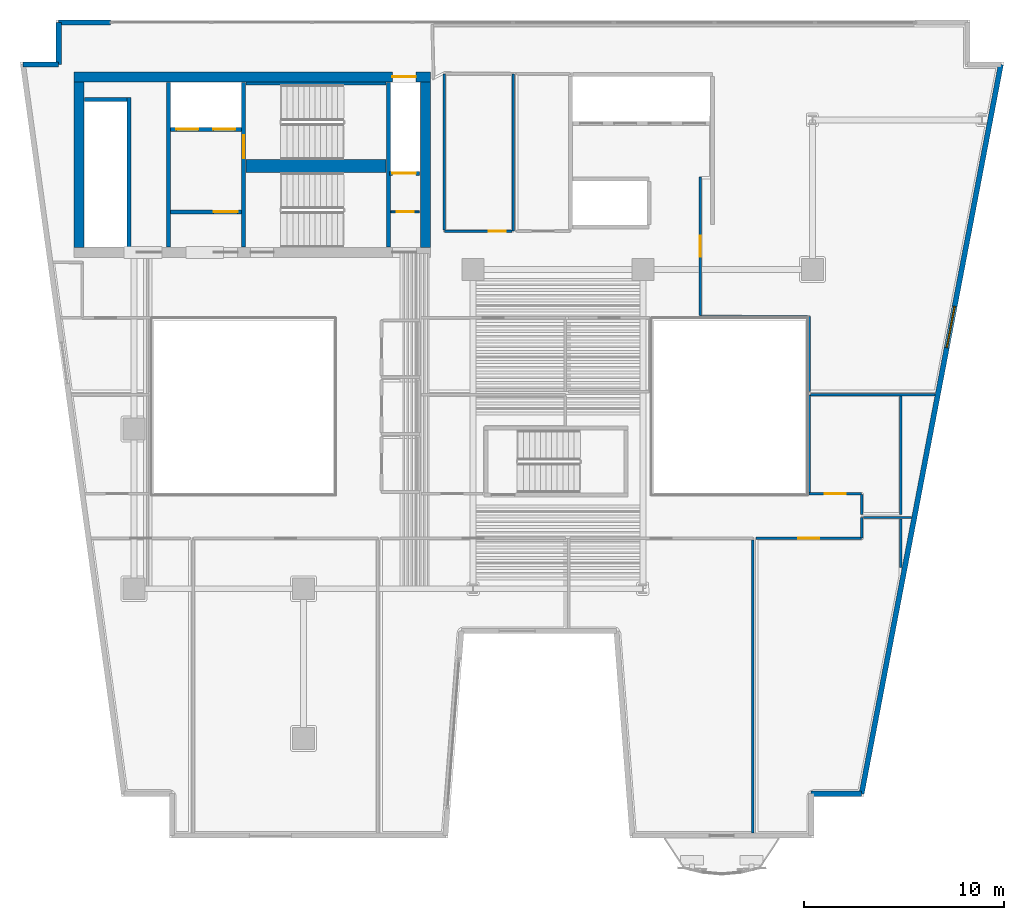
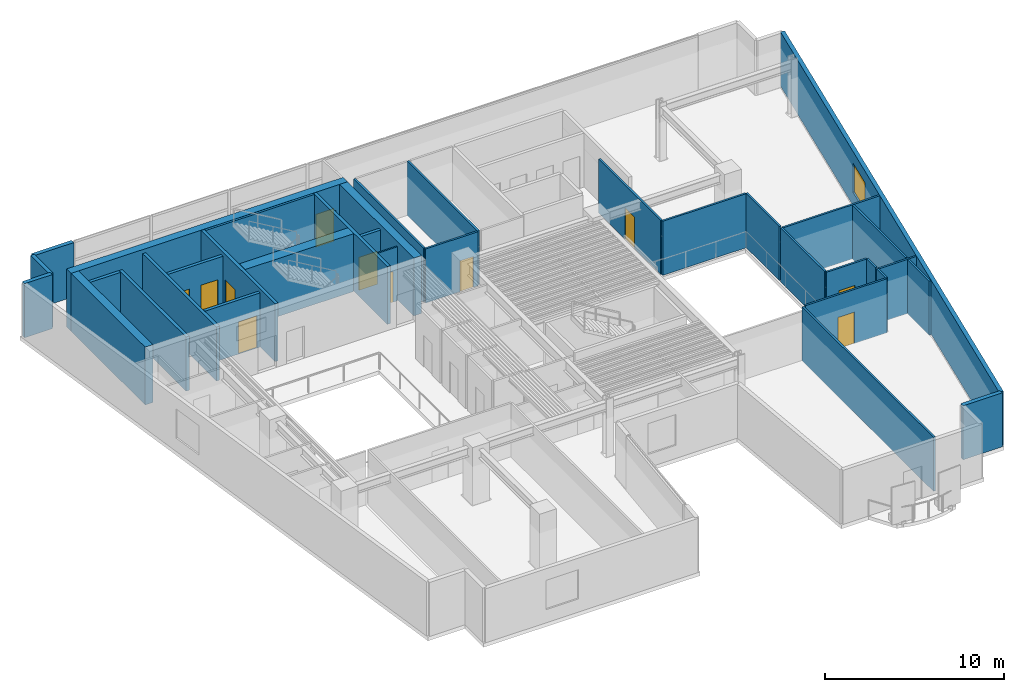
# One storey, part 7 of 13: 35 walls, 11 doors, 1 window, 12 openings.
"""IFC4 building model written with IfcOpenShell, lengths in metres."""

from ifc_helpers import new_model, si_unit, direction, frame, frame_2d, origin, place, context, subcontext, project, spatial, rectangle, extrude, material, layer, layer_set, type_object, element, fill, save


model = new_model("IFC4")

# Units and contexts
model_context = context("Model", 3, precision=1e-05, world=origin(), true_north=direction((0.0, 1.0)))
body_context = subcontext(model_context, "Body", "Model", "MODEL_VIEW")
ifc_project = project(units=[si_unit("LENGTHUNIT", "METRE"), si_unit("AREAUNIT", "SQUARE_METRE"), si_unit("VOLUMEUNIT", "CUBIC_METRE"), si_unit("PLANEANGLEUNIT", "RADIAN"), si_unit("MASSUNIT", "GRAM", prefix="KILO")], contexts=[model_context])

# Site, building, storey
site_placement = place(None, origin())
site = spatial("IfcSite", under=ifc_project, at=site_placement, CompositionType="ELEMENT")
building_placement = place(site_placement, origin())
building = spatial("IfcBuilding", under=site, at=building_placement, Name="Caeloran Harvest Quay", CompositionType="ELEMENT")
storey_placement = place(building_placement, frame((0.0, 0.0, 162.75)))
storey = spatial("IfcBuildingStorey", under=building, at=storey_placement, Name="L38", CompositionType="ELEMENT", Elevation=162.75)

# Walls
ifc_material_1 = material(Name="Precast concrete C50/60", Category="concrete")
ifc_layer_1 = layer(ifc_material_1, 0.260009765625, Name="Precast concrete C50/60")
ifc_layer_set_1 = layer_set([ifc_layer_1], Name="Precast concrete C50/60")
wall_type_1 = type_object("IfcWallType", Name="ENV-WALL-EW-260", PredefinedType="STANDARD", material=ifc_layer_set_1)
wall_1_placement = place(storey_placement, frame((2.939697265625, 41.27001953125, 0.0), z_axis=(0.0, 0.0, 1.0), x_axis=(1.0, 0.0, 0.0)))
element("IfcWall", 1, at=wall_1_placement, inside=storey, type_object=wall_type_1, Name="L38 Exterior Precast Concrete Facade Wall 4", PredefinedType="STANDARD", context=body_context, shape_type="SweptSolid", body=[
    extrude(rectangle(XDim=1.790283203125, YDim=0.260009765625, at=frame_2d((0.89501953125, 0.0))), origin(), (0.0, 0.0, 1.0), 3.68994140625),
])
wall_2_placement = place(storey_placement, frame((4.72998046875, 41.27001953125, 0.0), z_axis=(0.0, 0.0, 1.0), x_axis=(0.0, 1.0, 0.0)))
element("IfcWall", 2, at=wall_2_placement, inside=storey, type_object=wall_type_1, Name="L38 Exterior Precast Concrete Facade Wall 5", PredefinedType="STANDARD", context=body_context, shape_type="SweptSolid", body=[
    extrude(rectangle(XDim=2.10009765625, YDim=0.260009765625, at=frame_2d((1.050048828125, 0.0))), origin(), (0.0, 0.0, 1.0), 3.68994140625),
])
wall_3_placement = place(storey_placement, frame((4.72998046875, 43.3701171875, 0.0), z_axis=(0.0, 0.0, 1.0), x_axis=(1.0, 0.0, 0.0)))
element("IfcWall", 3, at=wall_3_placement, inside=storey, type_object=wall_type_1, Name="L38 Exterior Facade Corner Pier Wall 6A", PredefinedType="STANDARD", context=body_context, shape_type="SweptSolid", body=[
    extrude(rectangle(XDim=2.60009765625, YDim=0.260009765625, at=frame_2d((1.300048828125, 0.0))), origin(), (0.0, 0.0, 1.0), 3.68994140625),
])

# Wall, opening, window
wall_4_placement = place(storey_placement, frame((51.94189453125, 41.27001953125, 0.0), z_axis=(0.0, 0.0, 1.0), x_axis=(-0.187592192405, -0.982247000173, 0.0)))
wall_4 = element("IfcWall", 4, at=wall_4_placement, inside=storey, type_object=wall_type_1, Name="L38 Exterior Precast Concrete Facade Wall 9", PredefinedType="STANDARD", context=body_context, shape_type="SweptSolid", body=[
    extrude(rectangle(XDim=37.200439453125, YDim=0.260009765625, at=frame_2d((18.60009765625, 0.0))), origin(), (0.0, 0.0, 1.0), 3.68994140625),
])
opening_1_placement = place(wall_4_placement, frame((12.342041015625, 0.0, 0.89990234375)))
opening_1 = element("IfcOpeningElement", 5, at=opening_1_placement, cuts=wall_4, Name="Opening W-06", PredefinedType="OPENING", context=body_context, shape_type="SweptSolid", body=[
    extrude(rectangle(XDim=2.10009765625, YDim=2.0, at=frame_2d((1.050048828125, 1.0))), frame((0.0, 0.14013671875, 0.0), z_axis=(0.0, -1.0, 0.0), x_axis=(1.0, 0.0, 0.0)), (0.0, 0.0, 1.0), 0.280029296875),
])
ifc_material_2 = material(Name="Aluminium-Framed Low-E Laminated Glass", Category="aluminium")
window_type = type_object("IfcWindowType", Name="WIN-W-06", PartitioningType="DOUBLE_PANEL_VERTICAL", PredefinedType="WINDOW", material=ifc_material_2)
window_placement = place(opening_1_placement, origin())
window = element("IfcWindow", 6, at=window_placement, inside=storey, type_object=window_type, Name="L38 Facade Punched Window W-06", OverallHeight=2.0, OverallWidth=2.10009765625, PartitioningType="DOUBLE_PANEL_VERTICAL", PredefinedType="WINDOW", context=body_context, shape_type="SweptSolid", body=[
    extrude(rectangle(XDim=2.10009765625, YDim=2.0, at=frame_2d((1.050048828125, 1.0))), frame((0.0, 0.030029296875, 0.0), z_axis=(0.0, -1.0, 0.0), x_axis=(1.0, 0.0, 0.0)), (0.0, 0.0, 1.0), 0.06005859375),
])
fill(opening_1, window)

# Wall
wall_5_placement = place(storey_placement, frame((44.96337890625, 4.72998046875, 0.0), z_axis=(0.0, 0.0, 1.0), x_axis=(-1.0, 0.0, 0.0)))
element("IfcWall", 7, at=wall_5_placement, inside=storey, type_object=wall_type_1, Name="L38 Exterior Precast Concrete Facade Wall 10", PredefinedType="STANDARD", context=body_context, shape_type="SweptSolid", body=[
    extrude(rectangle(XDim=2.5234375, YDim=0.260009765625, at=frame_2d((1.26171875, 0.0))), origin(), (0.0, 0.0, 1.0), 3.68994140625),
])

# Wall, opening, door
ifc_material_3 = material(Name="Fire-Resisting Gypsum Core Riser Partition", Category="gypsum")
ifc_layer_2 = layer(ifc_material_3, 0.10009765625, Name="Fire-Resisting Gypsum Core Riser Partition")
ifc_layer_set_2 = layer_set([ifc_layer_2], Name="Fire-Resisting Gypsum Core Riser Partition")
wall_type_2 = type_object("IfcWallType", Name="INT-WALL-PW-100", PredefinedType="PARTITIONING", material=ifc_layer_set_2)
wall_6_placement = place(storey_placement, frame((21.3798828125, 33.889892578125, 0.0), z_axis=(0.0, 0.0, 1.0), x_axis=(1.0, 0.0, 0.0)))
wall_6 = element("IfcWall", 8, at=wall_6_placement, inside=storey, type_object=wall_type_2, Name="L38 Cleaner Store Partition Wall", PredefinedType="PARTITIONING", context=body_context, shape_type="SweptSolid", body=[
    extrude(rectangle(XDim=1.420166015625, YDim=0.10009765625, at=frame_2d((0.7099609375, 0.0))), origin(), (0.0, 0.0, 1.0), 3.68994140625),
])
opening_2_placement = place(wall_6_placement, frame((0.280029296875, 0.0, 0.0)))
opening_2 = element("IfcOpeningElement", 9, at=opening_2_placement, cuts=wall_6, Name="Opening SV-01", PredefinedType="OPENING", context=body_context, shape_type="SweptSolid", body=[
    extrude(rectangle(XDim=0.85009765625, YDim=2.10009765625, at=frame_2d((0.425048828125, 1.050048828125))), frame((0.0, 0.06005859375, 0.0), z_axis=(0.0, -1.0, 0.0), x_axis=(1.0, 0.0, 0.0)), (0.0, 0.0, 1.0), 0.1201171875),
])
ifc_material_4 = material(Name="Galvanized Painted Steel", Category="steel")
door_type_1 = type_object("IfcDoorType", Name="INTDOOR-SV-01", OperationType="NOTDEFINED", PredefinedType="DOOR", material=ifc_material_4)
door_1_placement = place(opening_2_placement, origin())
door_1 = element("IfcDoor", 10, at=door_1_placement, inside=storey, type_object=door_type_1, Name="L38 Cleaner Supply Store Access Door", OperationType="SINGLE_SWING_RIGHT", OverallHeight=2.10009765625, OverallWidth=0.85009765625, PredefinedType="DOOR", context=body_context, shape_type="SweptSolid", body=[
    extrude(rectangle(XDim=0.85009765625, YDim=2.10009765625, at=frame_2d((0.425048828125, 1.050048828125))), frame((0.0, 0.02490234375, 0.0), z_axis=(0.0, -1.0, 0.0), x_axis=(1.0, 0.0, 0.0)), (0.0, 0.0, 1.0), 0.050048828125),
])
fill(opening_2, door_1)

# Wall
ifc_material_5 = material(Name="Twin-Stud Mineral-Wool Acoustic Gypsum Partition", Category="gypsum")
ifc_layer_3 = layer(ifc_material_5, 0.125, Name="Twin-Stud Mineral-Wool Acoustic Gypsum Partition")
ifc_layer_set_3 = layer_set([ifc_layer_3], Name="Twin-Stud Mineral-Wool Acoustic Gypsum Partition")
wall_type_3 = type_object("IfcWallType", Name="INT-WALL-PW-125", PredefinedType="PARTITIONING", material=ifc_layer_set_3)
wall_7_placement = place(storey_placement, frame((27.5, 40.800048828125, 0.0), z_axis=(0.0, 0.0, 1.0), x_axis=(0.0, -1.0, 0.0)))
element("IfcWall", 11, at=wall_7_placement, inside=storey, type_object=wall_type_3, Name="L38 Bioinformatics Briefing Lounge Partition Wall", PredefinedType="PARTITIONING", context=body_context, shape_type="SweptSolid", body=[
    extrude(rectangle(XDim=7.880126953125, YDim=0.125, at=frame_2d((3.93994140625, 0.0))), origin(), (0.0, 0.0, 1.0), 3.68994140625),
])

# Wall, opening, door
wall_8_placement = place(storey_placement, frame((27.4326171875, 32.919921875, 0.0), z_axis=(0.0, 0.0, 1.0), x_axis=(-1.0, 0.0, 0.0)))
wall_8 = element("IfcWall", 12, at=wall_8_placement, inside=storey, type_object=wall_type_3, Name="L38 Bioinformatics Briefing Lounge Partition Wall", PredefinedType="PARTITIONING", context=body_context, shape_type="SweptSolid", body=[
    extrude(rectangle(XDim=3.382568359375, YDim=0.125, at=frame_2d((1.69140625, 0.0))), origin(), (0.0, 0.0, 1.0), 3.68994140625),
])
opening_3_placement = place(wall_8_placement, frame((0.303466796875, 0.0, 0.0)))
opening_3 = element("IfcOpeningElement", 13, at=opening_3_placement, cuts=wall_8, Name="Opening SV-01", PredefinedType="OPENING", context=body_context, shape_type="SweptSolid", body=[
    extrude(rectangle(XDim=0.85009765625, YDim=2.10009765625, at=frame_2d((0.425048828125, 1.050048828125))), frame((0.0, 0.072509765625, 0.0), z_axis=(0.0, -1.0, 0.0), x_axis=(1.0, 0.0, 0.0)), (0.0, 0.0, 1.0), 0.14501953125),
])
door_2_placement = place(opening_3_placement, origin())
door_2 = element("IfcDoor", 14, at=door_2_placement, inside=storey, type_object=door_type_1, Name="L38 Bioinformatics Briefing Lounge Access Door", OperationType="SINGLE_SWING_RIGHT", OverallHeight=2.10009765625, OverallWidth=0.85009765625, PredefinedType="DOOR", context=body_context, shape_type="SweptSolid", body=[
    extrude(rectangle(XDim=0.85009765625, YDim=2.10009765625, at=frame_2d((0.425048828125, 1.050048828125))), frame((0.0, 0.02490234375, 0.0), z_axis=(0.0, -1.0, 0.0), x_axis=(1.0, 0.0, 0.0)), (0.0, 0.0, 1.0), 0.050048828125),
])
fill(opening_3, door_2)

# Walls
wall_9_placement = place(storey_placement, frame((24.050048828125, 32.987548828125, 0.0), z_axis=(0.0, 0.0, 1.0), x_axis=(0.0, 1.0, 0.0)))
element("IfcWall", 15, at=wall_9_placement, inside=storey, type_object=wall_type_3, Name="L38 Bioinformatics Briefing Lounge Partition Wall", PredefinedType="PARTITIONING", context=body_context, shape_type="SweptSolid", body=[
    extrude(rectangle(XDim=7.8125, YDim=0.125, at=frame_2d((3.90625, 0.0))), origin(), (0.0, 0.0, 1.0), 3.68994140625),
])
wall_10_placement = place(storey_placement, frame((39.52001953125, 17.452392578125, 0.0), z_axis=(0.0, 0.0, 1.0), x_axis=(0.0, -1.0, 0.0)))
element("IfcWall", 16, at=wall_10_placement, inside=storey, type_object=wall_type_3, Name="Carbon Credit Seminar Room Partition Wall", PredefinedType="PARTITIONING", context=body_context, shape_type="SweptSolid", body=[
    extrude(rectangle(XDim=14.6875, YDim=0.125, at=frame_2d((7.34375, 0.0))), origin(), (0.0, 0.0, 1.0), 3.68994140625),
])
wall_11_placement = place(storey_placement, frame((44.97998046875, 17.550048828125, 0.0), z_axis=(0.0, 0.0, 1.0), x_axis=(0.0, 1.0, 0.0)))
element("IfcWall", 17, at=wall_11_placement, inside=storey, type_object=wall_type_3, Name="Commodities Briefing Boardroom Partition Wall", PredefinedType="PARTITIONING", context=body_context, shape_type="SweptSolid", body=[
    extrude(rectangle(XDim=1.02001953125, YDim=0.125, at=frame_2d((0.510009765625, 0.0))), origin(), (0.0, 0.0, 1.0), 3.68994140625),
])
wall_12_placement = place(storey_placement, frame((45.047607421875, 18.570068359375, 0.0), z_axis=(0.0, 0.0, 1.0), x_axis=(1.0, 0.0, 0.0)))
element("IfcWall", 18, at=wall_12_placement, inside=storey, type_object=wall_type_3, Name="Commodities Briefing Boardroom Partition Wall", PredefinedType="PARTITIONING", context=body_context, shape_type="SweptSolid", body=[
    extrude(rectangle(XDim=2.421630859375, YDim=0.125, at=frame_2d((1.2109375, 0.0))), origin(), (0.0, 0.0, 1.0), 3.68994140625),
])
wall_13_placement = place(storey_placement, frame((46.919921875, 18.50244140625, 0.0), z_axis=(0.0, 0.0, 1.0), x_axis=(0.0, -1.0, 0.0)))
element("IfcWall", 19, at=wall_13_placement, inside=storey, type_object=wall_type_3, Name="Commodities Briefing Boardroom Partition Wall", PredefinedType="PARTITIONING", context=body_context, shape_type="SweptSolid", body=[
    extrude(rectangle(XDim=2.4375, YDim=0.125, at=frame_2d((1.21875, 0.0))), origin(), (0.0, 0.0, 1.0), 3.68994140625),
])

# Wall, opening, door
wall_14_placement = place(storey_placement, frame((39.679931640625, 17.52001953125, 0.0), z_axis=(0.0, 0.0, 1.0), x_axis=(1.0, 0.0, 0.0)))
wall_14 = element("IfcWall", 20, at=wall_14_placement, inside=storey, type_object=wall_type_3, Name="Commodities Briefing Boardroom Partition Wall", PredefinedType="PARTITIONING", context=body_context, shape_type="SweptSolid", body=[
    extrude(rectangle(XDim=5.27001953125, YDim=0.125, at=frame_2d((2.635009765625, 0.0))), origin(), (0.0, 0.0, 1.0), 3.68994140625),
])
opening_4_placement = place(wall_14_placement, frame((2.110107421875, 0.0, 0.0)))
opening_4 = element("IfcOpeningElement", 21, at=opening_4_placement, cuts=wall_14, Name="Opening ID-03", PredefinedType="OPENING", context=body_context, shape_type="SweptSolid", body=[
    extrude(rectangle(XDim=1.050048828125, YDim=2.14990234375, at=frame_2d((0.52490234375, 1.074951171875))), frame((0.0, 0.072509765625, 0.0), z_axis=(0.0, -1.0, 0.0), x_axis=(1.0, 0.0, 0.0)), (0.0, 0.0, 1.0), 0.14501953125),
])
ifc_material_6 = material(Name="FSC Solid-Core Oak Timber Leaf", Category="wood")
door_type_2 = type_object("IfcDoorType", Name="INTDOOR-ID-03", OperationType="NOTDEFINED", PredefinedType="DOOR", material=ifc_material_6)
door_3_placement = place(opening_4_placement, origin())
door_3 = element("IfcDoor", 22, at=door_3_placement, inside=storey, type_object=door_type_2, Name="Commodities Briefing Boardroom Access Door", OperationType="SINGLE_SWING_LEFT", OverallHeight=2.14990234375, OverallWidth=1.050048828125, PredefinedType="DOOR", context=body_context, shape_type="SweptSolid", body=[
    extrude(rectangle(XDim=1.050048828125, YDim=2.14990234375, at=frame_2d((0.52490234375, 1.074951171875))), frame((0.0, 0.02490234375, 0.0), z_axis=(0.0, -1.0, 0.0), x_axis=(1.0, 0.0, 0.0)), (0.0, 0.0, 1.0), 0.050048828125),
])
fill(opening_4, door_3)

wall_15_placement = place(storey_placement, frame((44.949951171875, 19.75, 0.0), z_axis=(0.0, 0.0, 1.0), x_axis=(-1.0, 0.0, 0.0)))
wall_15 = element("IfcWall", 23, at=wall_15_placement, inside=storey, type_object=wall_type_3, Name="Satellite Archive Library Lounge Partition Wall", PredefinedType="PARTITIONING", context=body_context, shape_type="SweptSolid", body=[
    extrude(rectangle(XDim=2.619873046875, YDim=0.125, at=frame_2d((1.31005859375, 0.0))), origin(), (0.0, 0.0, 1.0), 3.68994140625),
])
opening_5_placement = place(wall_15_placement, frame((0.784912109375, 0.0, 0.0)))
opening_5 = element("IfcOpeningElement", 24, at=opening_5_placement, cuts=wall_15, Name="Opening ID-03", PredefinedType="OPENING", context=body_context, shape_type="SweptSolid", body=[
    extrude(rectangle(XDim=1.050048828125, YDim=2.14990234375, at=frame_2d((0.52490234375, 1.074951171875))), frame((0.0, 0.072509765625, 0.0), z_axis=(0.0, -1.0, 0.0), x_axis=(1.0, 0.0, 0.0)), (0.0, 0.0, 1.0), 0.14501953125),
])
door_4_placement = place(opening_5_placement, origin())
door_4 = element("IfcDoor", 25, at=door_4_placement, inside=storey, type_object=door_type_2, Name="Satellite Archive Library Lounge Access Door", OperationType="SINGLE_SWING_RIGHT", OverallHeight=2.14990234375, OverallWidth=1.050048828125, PredefinedType="DOOR", context=body_context, shape_type="SweptSolid", body=[
    extrude(rectangle(XDim=1.050048828125, YDim=2.14990234375, at=frame_2d((0.52490234375, 1.074951171875))), frame((0.0, 0.02490234375, 0.0), z_axis=(0.0, -1.0, 0.0), x_axis=(1.0, 0.0, 0.0)), (0.0, 0.0, 1.0), 0.050048828125),
])
fill(opening_5, door_4)

# Walls
wall_16_placement = place(storey_placement, frame((42.330078125, 19.8173828125, 0.0), z_axis=(0.0, 0.0, 1.0), x_axis=(0.0, 1.0, 0.0)))
element("IfcWall", 26, at=wall_16_placement, inside=storey, type_object=wall_type_3, Name="Satellite Archive Library Lounge Partition Wall", PredefinedType="PARTITIONING", context=body_context, shape_type="SweptSolid", body=[
    extrude(rectangle(XDim=4.902587890625, YDim=0.125, at=frame_2d((2.451171875, 0.0))), origin(), (0.0, 0.0, 1.0), 3.68994140625),
])
wall_17_placement = place(storey_placement, frame((42.3974609375, 24.719970703125, 0.0), z_axis=(0.0, 0.0, 1.0), x_axis=(1.0, 0.0, 0.0)))
element("IfcWall", 27, at=wall_17_placement, inside=storey, type_object=wall_type_3, Name="Satellite Archive Library Lounge Partition Wall", PredefinedType="PARTITIONING", context=body_context, shape_type="SweptSolid", body=[
    extrude(rectangle(XDim=6.246337890625, YDim=0.125, at=frame_2d((3.123046875, 0.0))), origin(), (0.0, 0.0, 1.0), 3.68994140625),
])
wall_18_placement = place(storey_placement, frame((46.919921875, 24.652587890625, 0.0), z_axis=(0.0, 0.0, 1.0), x_axis=(0.0, -1.0, 0.0)))
element("IfcWall", 28, at=wall_18_placement, inside=storey, type_object=wall_type_3, Name="Satellite Archive Library Lounge Partition Wall", PredefinedType="PARTITIONING", context=body_context, shape_type="SweptSolid", body=[
    extrude(rectangle(XDim=5.922607421875, YDim=0.125, at=frame_2d((2.96142578125, 0.0))), origin(), (0.0, 0.0, 1.0), 3.68994140625),
])
wall_19_placement = place(storey_placement, frame((44.97998046875, 18.72998046875, 0.0), z_axis=(0.0, 0.0, 1.0), x_axis=(0.0, 1.0, 0.0)))
element("IfcWall", 29, at=wall_19_placement, inside=storey, type_object=wall_type_3, Name="Satellite Archive Library Lounge Partition Wall", PredefinedType="PARTITIONING", context=body_context, shape_type="SweptSolid", body=[
    extrude(rectangle(XDim=0.989990234375, YDim=0.125, at=frame_2d((0.4951171875, 0.0))), origin(), (0.0, 0.0, 1.0), 3.68994140625),
])
wall_20_placement = place(storey_placement, frame((42.330078125, 24.8798828125, 0.0), z_axis=(0.0, 0.0, 1.0), x_axis=(0.0, 1.0, 0.0)))
element("IfcWall", 30, at=wall_20_placement, inside=storey, type_object=wall_type_3, Name="Hospitality Catering Kitchen 12 Partition Wall", PredefinedType="PARTITIONING", context=body_context, shape_type="SweptSolid", body=[
    extrude(rectangle(XDim=3.75, YDim=0.125, at=frame_2d((1.875, 0.0))), origin(), (0.0, 0.0, 1.0), 3.68994140625),
])
wall_21_placement = place(storey_placement, frame((42.262451171875, 28.6298828125, 0.0), z_axis=(0.0, 0.0, 1.0), x_axis=(-1.0, 0.0, 0.0)))
element("IfcWall", 31, at=wall_21_placement, inside=storey, type_object=wall_type_3, Name="Hospitality Catering Kitchen 12 Partition Wall", PredefinedType="PARTITIONING", context=body_context, shape_type="SweptSolid", body=[
    extrude(rectangle(XDim=5.382568359375, YDim=0.125, at=frame_2d((2.69140625, 0.0))), origin(), (0.0, 0.0, 1.0), 3.68994140625),
])

# Wall, opening, door
wall_22_placement = place(storey_placement, frame((36.8798828125, 28.697509765625, 0.0), z_axis=(0.0, 0.0, 1.0), x_axis=(0.0, 1.0, 0.0)))
wall_22 = element("IfcWall", 32, at=wall_22_placement, inside=storey, type_object=wall_type_3, Name="Hospitality Catering Kitchen 12 Partition Wall", PredefinedType="PARTITIONING", context=body_context, shape_type="SweptSolid", body=[
    extrude(rectangle(XDim=6.922607421875, YDim=0.125, at=frame_2d((3.46142578125, 0.0))), origin(), (0.0, 0.0, 1.0), 3.68994140625),
])
opening_6_placement = place(wall_22_placement, frame((2.936279296875, 0.0, 0.0)))
opening_6 = element("IfcOpeningElement", 33, at=opening_6_placement, cuts=wall_22, Name="Opening ID-03", PredefinedType="OPENING", context=body_context, shape_type="SweptSolid", body=[
    extrude(rectangle(XDim=1.050048828125, YDim=2.14990234375, at=frame_2d((0.52490234375, 1.074951171875))), frame((0.0, 0.072509765625, 0.0), z_axis=(0.0, -1.0, 0.0), x_axis=(1.0, 0.0, 0.0)), (0.0, 0.0, 1.0), 0.14501953125),
])
door_5_placement = place(opening_6_placement, origin())
door_5 = element("IfcDoor", 34, at=door_5_placement, inside=storey, type_object=door_type_2, Name="Hospitality Catering Kitchen 12 Access Door", OperationType="SINGLE_SWING_RIGHT", OverallHeight=2.14990234375, OverallWidth=1.050048828125, PredefinedType="DOOR", context=body_context, shape_type="SweptSolid", body=[
    extrude(rectangle(XDim=1.050048828125, YDim=2.14990234375, at=frame_2d((0.52490234375, 1.074951171875))), frame((0.0, 0.02490234375, 0.0), z_axis=(0.0, -1.0, 0.0), x_axis=(1.0, 0.0, 0.0)), (0.0, 0.0, 1.0), 0.050048828125),
])
fill(opening_6, door_5)

# Walls
ifc_material_7 = material(Name="Concrete C50/60", Category="concrete")
ifc_layer_4 = layer(ifc_material_7, 0.199951171875, Name="Concrete C50/60")
ifc_layer_set_4 = layer_set([ifc_layer_4], Name="Concrete C50/60")
wall_type_4 = type_object("IfcWallType", Name="INT-WALL-SW-200", PredefinedType="PARTITIONING", material=ifc_layer_set_4)
wall_23_placement = place(storey_placement, frame((8.260009765625, 32.1201171875, 0.0), z_axis=(0.0, 0.0, 1.0), x_axis=(0.0, 1.0, 0.0)))
element("IfcWall", 35, at=wall_23_placement, inside=storey, type_object=wall_type_4, Name="L38 Bank 3 Lift Shaft Wall", PredefinedType="PARTITIONING", context=body_context, shape_type="SweptSolid", body=[
    extrude(rectangle(XDim=7.5, YDim=0.199951171875, at=frame_2d((3.75, 0.0))), origin(), (0.0, 0.0, 1.0), 3.68994140625),
])
wall_24_placement = place(storey_placement, frame((6.02001953125, 39.52001953125, 0.0), z_axis=(0.0, 0.0, 1.0), x_axis=(1.0, 0.0, 0.0)))
element("IfcWall", 36, at=wall_24_placement, inside=storey, type_object=wall_type_4, Name="L38 Bank 3 Lift Shaft North End Wall", PredefinedType="PARTITIONING", context=body_context, shape_type="SweptSolid", body=[
    extrude(rectangle(XDim=2.119873046875, YDim=0.199951171875, at=frame_2d((1.06005859375, 0.0))), origin(), (0.0, 0.0, 1.0), 3.68994140625),
])
wall_25_placement = place(storey_placement, frame((10.219970703125, 32.1201171875, 0.0), z_axis=(0.0, 0.0, 1.0), x_axis=(0.0, 1.0, 0.0)))
element("IfcWall", 37, at=wall_25_placement, inside=storey, type_object=wall_type_4, Name="L38 Core Lobby Compartment Wall", PredefinedType="PARTITIONING", context=body_context, shape_type="SweptSolid", body=[
    extrude(rectangle(XDim=8.259765625, YDim=0.199951171875, at=frame_2d((4.1298828125, 0.0))), origin(), (0.0, 0.0, 1.0), 3.68994140625),
])

# Wall, openings, doors
wall_26_placement = place(storey_placement, frame((10.340087890625, 38.02001953125, 0.0), z_axis=(0.0, 0.0, 1.0), x_axis=(1.0, 0.0, 0.0)))
wall_26 = element("IfcWall", 38, at=wall_26_placement, inside=storey, type_object=wall_type_4, Name="L38 Firefighting Lift Shaft Wall", PredefinedType="PARTITIONING", context=body_context, shape_type="SweptSolid", body=[
    extrude(rectangle(XDim=3.539794921875, YDim=0.199951171875, at=frame_2d((1.77001953125, 0.0))), origin(), (0.0, 0.0, 1.0), 3.68994140625),
])
opening_7_placement = place(wall_26_placement, frame((0.284912109375, 0.0, 0.0)))
opening_7 = element("IfcOpeningElement", 39, at=opening_7_placement, cuts=wall_26, Name="Opening LD-01", PredefinedType="OPENING", context=body_context, shape_type="SweptSolid", body=[
    extrude(rectangle(XDim=1.10009765625, YDim=2.199951171875, at=frame_2d((0.550048828125, 1.10009765625))), frame((0.0, 0.10986328125, 0.0), z_axis=(0.0, -1.0, 0.0), x_axis=(1.0, 0.0, 0.0)), (0.0, 0.0, 1.0), 0.219970703125),
])
opening_8_placement = place(wall_26_placement, frame((2.135009765625, 0.0, 0.0)))
opening_8 = element("IfcOpeningElement", 40, at=opening_8_placement, cuts=wall_26, Name="Opening LD-01", PredefinedType="OPENING", context=body_context, shape_type="SweptSolid", body=[
    extrude(rectangle(XDim=1.10009765625, YDim=2.199951171875, at=frame_2d((0.550048828125, 1.10009765625))), frame((0.0, 0.10986328125, 0.0), z_axis=(0.0, -1.0, 0.0), x_axis=(1.0, 0.0, 0.0)), (0.0, 0.0, 1.0), 0.219970703125),
])
ifc_material_8 = material(Name="Stainless Steel Grade 316", Category="steel")
door_type_3 = type_object("IfcDoorType", Name="INTDOOR-LD-01", OperationType="NOTDEFINED", PredefinedType="DOOR", material=ifc_material_8)
door_6_placement = place(opening_7_placement, origin())
door_6 = element("IfcDoor", 41, at=door_6_placement, inside=storey, type_object=door_type_3, Name="Lift FF-1 Sliding Landing Door (L38)", OperationType="DOUBLE_DOOR_SLIDING", OverallHeight=2.199951171875, OverallWidth=1.10009765625, PredefinedType="DOOR", context=body_context, shape_type="SweptSolid", body=[
    extrude(rectangle(XDim=1.10009765625, YDim=2.199951171875, at=frame_2d((0.550048828125, 1.10009765625))), frame((0.0, 0.02490234375, 0.0), z_axis=(0.0, -1.0, 0.0), x_axis=(1.0, 0.0, 0.0)), (0.0, 0.0, 1.0), 0.050048828125),
])
fill(opening_7, door_6)
door_7_placement = place(opening_8_placement, origin())
door_7 = element("IfcDoor", 42, at=door_7_placement, inside=storey, type_object=door_type_3, Name="Lift FF-2 Sliding Landing Door (L38)", OperationType="DOUBLE_DOOR_SLIDING", OverallHeight=2.199951171875, OverallWidth=1.10009765625, PredefinedType="DOOR", context=body_context, shape_type="SweptSolid", body=[
    extrude(rectangle(XDim=1.10009765625, YDim=2.199951171875, at=frame_2d((0.550048828125, 1.10009765625))), frame((0.0, 0.02490234375, 0.0), z_axis=(0.0, -1.0, 0.0), x_axis=(1.0, 0.0, 0.0)), (0.0, 0.0, 1.0), 0.050048828125),
])
fill(opening_8, door_7)

# Wall, opening, door
wall_27_placement = place(storey_placement, frame((10.340087890625, 33.8798828125, 0.0), z_axis=(0.0, 0.0, 1.0), x_axis=(1.0, 0.0, 0.0)))
wall_27 = element("IfcWall", 43, at=wall_27_placement, inside=storey, type_object=wall_type_4, Name="L38 Firefighting Lift Lobby Enclosure Wall", PredefinedType="PARTITIONING", context=body_context, shape_type="SweptSolid", body=[
    extrude(rectangle(XDim=3.559814453125, YDim=0.199951171875, at=frame_2d((1.77978515625, 0.0))), origin(), (0.0, 0.0, 1.0), 3.68994140625),
])
opening_9_placement = place(wall_27_placement, frame((2.14990234375, 0.0, 0.0)))
opening_9 = element("IfcOpeningElement", 44, at=opening_9_placement, cuts=wall_27, Name="Opening FD-01", PredefinedType="OPENING", context=body_context, shape_type="SweptSolid", body=[
    extrude(rectangle(XDim=1.199951171875, YDim=2.199951171875, at=frame_2d((0.60009765625, 1.10009765625))), frame((0.0, 0.10986328125, 0.0), z_axis=(0.0, -1.0, 0.0), x_axis=(1.0, 0.0, 0.0)), (0.0, 0.0, 1.0), 0.219970703125),
])
ifc_material_9 = material(Name="Steel", Category="steel")
door_type_4 = type_object("IfcDoorType", Name="INTDOOR-FD-01", OperationType="NOTDEFINED", PredefinedType="DOOR", material=ifc_material_9)
door_8_placement = place(opening_9_placement, origin())
door_8 = element("IfcDoor", 45, at=door_8_placement, inside=storey, type_object=door_type_4, Name="L38 Firefighting Lift Lobby Smoke-Seal Fire Door", OperationType="SINGLE_SWING_LEFT", OverallHeight=2.199951171875, OverallWidth=1.199951171875, PredefinedType="DOOR", context=body_context, shape_type="SweptSolid", body=[
    extrude(rectangle(XDim=1.199951171875, YDim=2.199951171875, at=frame_2d((0.60009765625, 1.10009765625))), frame((0.0, 0.02490234375, 0.0), z_axis=(0.0, -1.0, 0.0), x_axis=(1.0, 0.0, 0.0)), (0.0, 0.0, 1.0), 0.050048828125),
])
fill(opening_9, door_8)

wall_28_placement = place(storey_placement, frame((21.300048828125, 35.820068359375, 0.0), z_axis=(0.0, 0.0, 1.0), x_axis=(1.0, 0.0, 0.0)))
wall_28 = element("IfcWall", 46, at=wall_28_placement, inside=storey, type_object=wall_type_4, Name="L38 Service Lift SV-2 Shaft Wall", PredefinedType="PARTITIONING", context=body_context, shape_type="SweptSolid", body=[
    extrude(rectangle(XDim=1.5, YDim=0.199951171875, at=frame_2d((0.75, 0.0))), origin(), (0.0, 0.0, 1.0), 3.68994140625),
])
opening_10_placement = place(wall_28_placement, frame((0.14501953125, 0.0, 0.0)))
opening_10 = element("IfcOpeningElement", 47, at=opening_10_placement, cuts=wall_28, Name="Opening LD-02", PredefinedType="OPENING", context=body_context, shape_type="SweptSolid", body=[
    extrude(rectangle(XDim=1.179931640625, YDim=2.25, at=frame_2d((0.58984375, 1.125))), frame((0.0, 0.10986328125, 0.0), z_axis=(0.0, -1.0, 0.0), x_axis=(1.0, 0.0, 0.0)), (0.0, 0.0, 1.0), 0.219970703125),
])
door_type_5 = type_object("IfcDoorType", Name="INTDOOR-LD-02", OperationType="NOTDEFINED", PredefinedType="DOOR", material=ifc_material_8)
door_9_placement = place(opening_10_placement, origin())
door_9 = element("IfcDoor", 48, at=door_9_placement, inside=storey, type_object=door_type_5, Name="Lift SV-2 Sliding Landing Door (L38)", OperationType="DOUBLE_DOOR_SLIDING", OverallHeight=2.25, OverallWidth=1.179931640625, PredefinedType="DOOR", context=body_context, shape_type="SweptSolid", body=[
    extrude(rectangle(XDim=1.179931640625, YDim=2.25, at=frame_2d((0.58984375, 1.125))), frame((0.0, 0.02490234375, 0.0), z_axis=(0.0, -1.0, 0.0), x_axis=(1.0, 0.0, 0.0)), (0.0, 0.0, 1.0), 0.050048828125),
])
fill(opening_10, door_9)

ifc_material_10 = material(Name="Concrete C70/85", Category="concrete")
ifc_layer_5 = layer(ifc_material_10, 0.5, Name="Concrete C70/85")
ifc_layer_set_5 = layer_set([ifc_layer_5], Name="Concrete C70/85")
wall_type_5 = type_object("IfcWallType", Name="STR-WALL-CW-500", PredefinedType="SHEAR", material=ifc_layer_set_5)
wall_29_placement = place(storey_placement, frame((5.5, 40.64990234375, 0.0), z_axis=(0.0, 0.0, 1.0), x_axis=(1.0, 0.0, 0.0)))
wall_29 = element("IfcWall", 49, at=wall_29_placement, inside=storey, type_object=wall_type_5, Name="L38 Rear Core Shear Wall N", PredefinedType="SHEAR", context=body_context, shape_type="SweptSolid", body=[
    extrude(rectangle(XDim=17.85009765625, YDim=0.5, at=frame_2d((8.925048828125, 0.0))), origin(), (0.0, 0.0, 1.0), 3.949951171875),
])
opening_11_placement = place(wall_29_placement, frame((15.945068359375, 0.0, 0.0)))
opening_11 = element("IfcOpeningElement", 50, at=opening_11_placement, cuts=wall_29, Name="Opening LD-02", PredefinedType="OPENING", context=body_context, shape_type="SweptSolid", body=[
    extrude(rectangle(XDim=1.179931640625, YDim=2.25, at=frame_2d((0.58984375, 1.125))), frame((0.0, 0.260009765625, 0.0), z_axis=(0.0, -1.0, 0.0), x_axis=(1.0, 0.0, 0.0)), (0.0, 0.0, 1.0), 0.52001953125),
])
door_10_placement = place(opening_11_placement, origin())
door_10 = element("IfcDoor", 51, at=door_10_placement, inside=storey, type_object=door_type_5, Name="Lift SV-1 Sliding Landing Door (L38)", OperationType="DOUBLE_DOOR_SLIDING", OverallHeight=2.25, OverallWidth=1.179931640625, PredefinedType="DOOR", context=body_context, shape_type="SweptSolid", body=[
    extrude(rectangle(XDim=1.179931640625, YDim=2.25, at=frame_2d((0.58984375, 1.125))), frame((0.0, 0.02490234375, 0.0), z_axis=(0.0, -1.0, 0.0), x_axis=(1.0, 0.0, 0.0)), (0.0, 0.0, 1.0), 0.050048828125),
])
fill(opening_11, door_10)

# Walls
for number, where, z_axis, x_axis, name in (
    (52, (5.75, 32.10009765625, 0.0), (0.0, 0.0, 1.0), (0.0, 1.0, 0.0), "L38 Rear Core Shear Wall W"),
    (53, (23.10009765625, 32.10009765625, 0.0), (0.0, 0.0, 1.0), (0.0, 1.0, 0.0), "L38 Rear Core Shear Wall E"),
):
    element("IfcWall", number, at=place(storey_placement, frame(where, z_axis=z_axis, x_axis=x_axis)), inside=storey, type_object=wall_type_5, Name=name, PredefinedType="SHEAR", context=body_context, shape_type="SweptSolid", body=[
        extrude(rectangle(XDim=8.2998046875, YDim=0.5, at=frame_2d((4.14990234375, 0.0))), origin(), (0.0, 0.0, 1.0), 3.949951171875),
    ])
ifc_material_11 = material(Name="Concrete C60/75", Category="concrete")
ifc_layer_6 = layer(ifc_material_11, 0.64990234375, Name="Concrete C60/75")
ifc_layer_set_6 = layer_set([ifc_layer_6], Name="Concrete C60/75")
wall_type_6 = type_object("IfcWallType", Name="STR-WALL-CW-650", PredefinedType="SHEAR", material=ifc_layer_set_6)
wall_30_placement = place(storey_placement, frame((14.1201171875, 36.175048828125, 0.0), z_axis=(0.0, 0.0, 1.0), x_axis=(1.0, 0.0, 0.0)))
element("IfcWall", 54, at=wall_30_placement, inside=storey, type_object=wall_type_6, Name="L38 Core Stairs Dividing Shear Wall", PredefinedType="SHEAR", context=body_context, shape_type="SweptSolid", body=[
    extrude(rectangle(XDim=7.009765625, YDim=0.64990234375, at=frame_2d((3.5048828125, 0.0))), origin(), (0.0, 0.0, 1.0), 3.949951171875),
])
ifc_layer_7 = layer(ifc_material_11, 0.139892578125, Name="Concrete C60/75")
ifc_layer_set_7 = layer_set([ifc_layer_7], Name="Concrete C60/75")
wall_type_7 = type_object("IfcWallType", Name="STR-WALL-SW-140", PredefinedType="SHEAR", material=ifc_layer_set_7)
wall_31_placement = place(storey_placement, frame((14.1201171875, 40.320068359375, 0.0), z_axis=(0.0, 0.0, 1.0), x_axis=(1.0, 0.0, 0.0)))
element("IfcWall", 55, at=wall_31_placement, inside=storey, type_object=wall_type_7, Name="L38 Core Stair ST-C1 North Bearing Shear Wall", PredefinedType="SHEAR", context=body_context, shape_type="SweptSolid", body=[
    extrude(rectangle(XDim=7.009765625, YDim=0.139892578125, at=frame_2d((3.5048828125, 0.0))), origin(), (0.0, 0.0, 1.0), 3.949951171875),
])

# Wall, opening, door
ifc_layer_8 = layer(ifc_material_11, 0.199951171875, Name="Concrete C60/75")
ifc_layer_set_8 = layer_set([ifc_layer_8], Name="Concrete C60/75")
wall_type_8 = type_object("IfcWallType", Name="STR-WALL-SW-200", PredefinedType="SHEAR", material=ifc_layer_set_8)
wall_32_placement = place(storey_placement, frame((14.0, 32.1201171875, 0.0), z_axis=(0.0, 0.0, 1.0), x_axis=(0.0, 1.0, 0.0)))
wall_32 = element("IfcWall", 56, at=wall_32_placement, inside=storey, type_object=wall_type_8, Name="L38 Core Stair Shaft West Shear Wall", PredefinedType="SHEAR", context=body_context, shape_type="SweptSolid", body=[
    extrude(rectangle(XDim=8.259765625, YDim=0.199951171875, at=frame_2d((4.1298828125, 0.0))), origin(), (0.0, 0.0, 1.0), 3.949951171875),
])
opening_12_placement = place(wall_32_placement, frame((4.4599609375, 0.0, 0.0)))
opening_12 = element("IfcOpeningElement", 57, at=opening_12_placement, cuts=wall_32, Name="Opening SD-01", PredefinedType="OPENING", context=body_context, shape_type="SweptSolid", body=[
    extrude(rectangle(XDim=1.14990234375, YDim=2.199951171875, at=frame_2d((0.574951171875, 1.10009765625))), frame((0.0, 0.10986328125, 0.0), z_axis=(0.0, -1.0, 0.0), x_axis=(1.0, 0.0, 0.0)), (0.0, 0.0, 1.0), 0.219970703125),
])
door_type_6 = type_object("IfcDoorType", Name="INTDOOR-SD-01", OperationType="NOTDEFINED", PredefinedType="DOOR", material=ifc_material_9)
door_11_placement = place(opening_12_placement, origin())
door_11 = element("IfcDoor", 58, at=door_11_placement, inside=storey, type_object=door_type_6, Name="L38 Protected Stair ST-C1 Exit Door", OperationType="SINGLE_SWING_LEFT", OverallHeight=2.199951171875, OverallWidth=1.14990234375, PredefinedType="DOOR", context=body_context, shape_type="SweptSolid", body=[
    extrude(rectangle(XDim=1.14990234375, YDim=2.199951171875, at=frame_2d((0.574951171875, 1.10009765625))), frame((0.0, 0.02490234375, 0.0), z_axis=(0.0, -1.0, 0.0), x_axis=(1.0, 0.0, 0.0)), (0.0, 0.0, 1.0), 0.050048828125),
])
fill(opening_12, door_11)

# Wall
wall_33_placement = place(storey_placement, frame((21.25, 32.1201171875, 0.0), z_axis=(0.0, 0.0, 1.0), x_axis=(0.0, 1.0, 0.0)))
element("IfcWall", 59, at=wall_33_placement, inside=storey, type_object=wall_type_8, Name="L38 Core Stair Shaft East Shear Wall", PredefinedType="SHEAR", context=body_context, shape_type="SweptSolid", body=[
    extrude(rectangle(XDim=8.259765625, YDim=0.199951171875, at=frame_2d((4.1298828125, 0.0))), origin(), (0.0, 0.0, 1.0), 3.949951171875),
])

save(model, "model.ifc")
